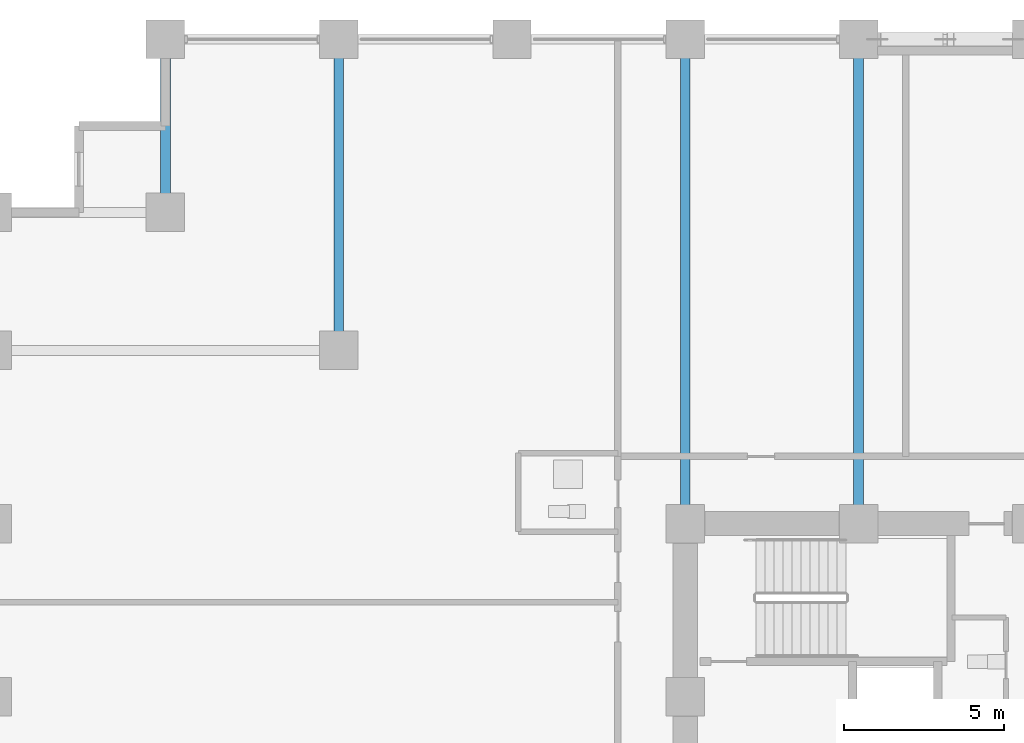
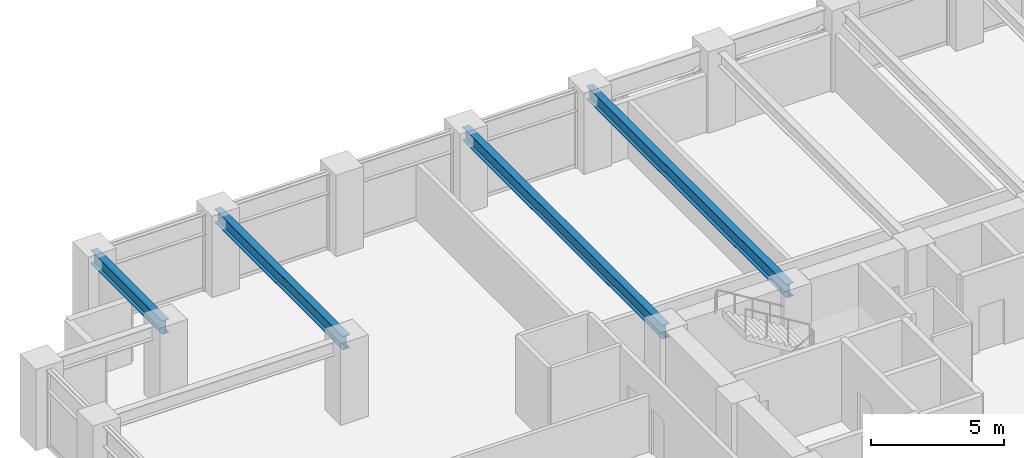
# One storey, part 11 of 26: 4 beams.
"""IFC4 building model written with IfcOpenShell, lengths in metres."""

import ifcopenshell
import ifcopenshell.guid

model = None  # the IFC model being written
_history = None  # IfcOwnerHistory: only IFC2X3 demands one
_inside = {}  # id of a spatial element -> (the spatial element, [elements in it])
_under = {}  # id of a project, library or spatial element -> (it, [spatial elements below it])
_declared = {}  # id of a project -> (the project, [libraries it declares])
_typed = {}  # id of a type object -> (the type object, [elements of that type])
_made_of = {}  # id of a material, layer set ... -> (it, [elements and type objects made of it])


def new_model(schema):
    """Start an empty IFC model of exactly this schema.

    Asked for "IFC4X3", IfcOpenShell would pick the latest addendum, in which some entities
    have other attributes; the version numbers below select the first issue.
    IFC2X3 requires an IfcOwnerHistory on every rooted entity: one is made here for all.
    """
    global model, _history
    if schema == "IFC4X3":
        model = ifcopenshell.file(schema_version=(4, 3, 0, 0))
    else:
        model = ifcopenshell.file(schema=schema)
    _inside.clear()
    _under.clear()
    _declared.clear()
    _typed.clear()
    _made_of.clear()
    _history = None
    if model.schema == "IFC2X3":
        org = make("IfcOrganization", Name="unknown")
        user = make(
            "IfcPersonAndOrganization",
            ThePerson=make("IfcPerson", FamilyName="unknown"),
            TheOrganization=org,
        )
        app = make(
            "IfcApplication",
            ApplicationDeveloper=org,
            Version="unknown",
            ApplicationFullName="unknown",
            ApplicationIdentifier="unknown",
        )
        _history = make(
            "IfcOwnerHistory",
            OwningUser=user,
            OwningApplication=app,
            ChangeAction="ADDED",
            CreationDate=0,
        )
    return model


def make(cls, **values):
    """One entity of the class cls with the attributes given. An attribute that is None is left unset."""
    return model.create_entity(
        cls, **{name: value for name, value in values.items() if value is not None}
    )


def rooted(cls, **values):
    """An entity with a GlobalId (a new one), such as an element, a storey or a relation."""
    return make(cls, GlobalId=ifcopenshell.guid.new(), OwnerHistory=_history, **values)


def si_unit(unit_type, name, prefix=None):
    """IfcSIUnit, for example si_unit("LENGTHUNIT", "METRE", prefix="MILLI")."""
    return make("IfcSIUnit", UnitType=unit_type, Prefix=prefix, Name=name)


def assignment(units):
    """IfcUnitAssignment: the units of a project."""
    return None if units is None else make("IfcUnitAssignment", Units=units)


def point(xyz):
    """IfcCartesianPoint."""
    return None if xyz is None else make("IfcCartesianPoint", Coordinates=xyz)


def direction(xyz):
    """IfcDirection."""
    return None if xyz is None else make("IfcDirection", DirectionRatios=xyz)


def frame(location, z_axis=None, x_axis=None):
    """IfcAxis2Placement3D, a coordinate frame: its origin and axes. An axis left out is left unset."""
    return make(
        "IfcAxis2Placement3D",
        Location=point(location),
        Axis=direction(z_axis),
        RefDirection=direction(x_axis),
    )


def frame_2d(location, x_axis=None):
    """IfcAxis2Placement2D, a coordinate frame in the plane: its origin and x axis."""
    return make(
        "IfcAxis2Placement2D", Location=point(location), RefDirection=direction(x_axis)
    )


def origin():
    """The frame at (0, 0, 0) with its axes left unset."""
    return frame((0.0, 0.0, 0.0))


def origin_2d():
    """The frame at (0, 0) in the plane with its x axis left unset."""
    return frame_2d((0.0, 0.0))


def place(relative_to, where):
    """IfcLocalPlacement: puts the frame where relative to a parent placement (None: the world)."""
    return make(
        "IfcLocalPlacement", PlacementRelTo=relative_to, RelativePlacement=where
    )


def context(
    kind, dimensions, precision=None, world=None, true_north=None, identifier=None
):
    """IfcGeometricRepresentationContext, for example the 3D "Model" context."""
    return make(
        "IfcGeometricRepresentationContext",
        ContextIdentifier=identifier,
        ContextType=kind,
        CoordinateSpaceDimension=dimensions,
        Precision=precision,
        WorldCoordinateSystem=world,
        TrueNorth=true_north,
    )


def subcontext(parent, identifier, kind, view, scale=None):
    """IfcGeometricRepresentationSubContext, for example "Body" below "Model"."""
    return make(
        "IfcGeometricRepresentationSubContext",
        ContextIdentifier=identifier,
        ContextType=kind,
        ParentContext=parent,
        TargetScale=scale,
        TargetView=view,
    )


def project(units=None, contexts=None):
    """IfcProject with its units and contexts."""
    return rooted(
        "IfcProject",
        Name="project",
        RepresentationContexts=contexts,
        UnitsInContext=assignment(units),
    )


def spatial(cls, under=None, at=None, **own):
    """A site, building, storey or space (cls), placed at a placement, below another one or the project."""
    s = rooted(cls, ObjectPlacement=at, **own)
    if under is not None:
        _under.setdefault(under.id(), (under, []))[1].append(s)
    return s


def profile(cls, at=None, kind="AREA", **sizes):
    """A parametric profile (cls). Its sizes go by their IFC names, for example OverallWidth=200.0."""
    return make(cls, ProfileType=kind, Position=at, **sizes)


def i_section(**sizes):
    """IfcIShapeProfileDef."""
    return profile("IfcIShapeProfileDef", **sizes)


def extrude(swept, where, along, depth):
    """IfcExtrudedAreaSolid: the profile swept, set in the frame where, extruded along a direction by depth."""
    return make(
        "IfcExtrudedAreaSolid",
        SweptArea=swept,
        Position=where,
        ExtrudedDirection=direction(along),
        Depth=depth,
    )


def shape(context_of_items, identifier, shape_type, items):
    """IfcShapeRepresentation: the items that make up one representation, for example the "Body"."""
    return make(
        "IfcShapeRepresentation",
        ContextOfItems=context_of_items,
        RepresentationIdentifier=identifier,
        RepresentationType=shape_type,
        Items=items,
    )


def material(Name=None, Category=None):
    """IfcMaterial."""
    return make("IfcMaterial", Name=Name, Category=Category)


def material_profile(
    of_material, cross_section, Name=None, Category=None, Priority=None
):
    """IfcMaterialProfile: a cross section and its material."""
    return make(
        "IfcMaterialProfile",
        Name=Name,
        Material=of_material,
        Profile=cross_section,
        Priority=Priority,
        Category=Category,
    )


def profile_set(profiles, Name=None, composite=None):
    """IfcMaterialProfileSet."""
    return make(
        "IfcMaterialProfileSet",
        Name=Name,
        MaterialProfiles=profiles,
        CompositeProfile=composite,
    )


def made_of(thing, what):
    """Note that an element or type object is made of a material, layer set ...; save() writes the relation."""
    if what is not None:
        _made_of.setdefault(what.id(), (what, []))[1].append(thing)
    return thing


def type_object(cls, material=None, **own):
    """A type object (cls), such as IfcWallType, which elements share."""
    return made_of(rooted(cls, **own), material)


def element(
    cls,
    number,
    at=None,
    inside=None,
    cuts=None,
    type_object=None,
    material=None,
    context=None,
    identifier="Body",
    shape_type=None,
    held_by="IfcProductDefinitionShape",
    body=None,
    shapes=None,
    **own,
):
    """One element of the class cls, such as IfcWall. Its Tag is "e" and its number.

    at: its placement. inside: the storey or other place that contains it. cuts: it is an
    opening in that element (IfcRelVoidsElement). A single representation is given by context,
    identifier, shape_type and body (its items); several are given by shapes. held_by: the class
    of the entity that holds the representations. save() writes the other relations.
    """
    e = rooted(cls, Tag="e%d" % number, ObjectPlacement=at, **own)
    if body is not None:
        shapes = [shape(context, identifier, shape_type, body)]
    if shapes is not None:
        e.Representation = make(held_by, Representations=shapes)
    if inside is not None:
        _inside.setdefault(inside.id(), (inside, []))[1].append(e)
    if cuts is not None:
        rooted(
            "IfcRelVoidsElement", RelatingBuildingElement=cuts, RelatedOpeningElement=e
        )
    if type_object is not None:
        _typed.setdefault(type_object.id(), (type_object, []))[1].append(e)
    return made_of(e, material)


def aggregate(whole, parts):
    """IfcRelAggregates: a whole, such as a stair, and the parts it consists of."""
    return rooted("IfcRelAggregates", RelatingObject=whole, RelatedObjects=parts)


def save(model, path):
    """Write the relations noted so far, then the file.

    IfcRelAggregates (storeys below a building ...), IfcRelContainedInSpatialStructure (elements
    in a storey), IfcRelDefinesByType, IfcRelAssociatesMaterial and IfcRelDeclares: one each for
    every whole, place, type object, material and project.
    """
    for whole, parts in _under.values():
        aggregate(whole, parts)
    for where, things in _inside.values():
        rooted(
            "IfcRelContainedInSpatialStructure",
            RelatedElements=things,
            RelatingStructure=where,
        )
    for kind, things in _typed.values():
        rooted("IfcRelDefinesByType", RelatedObjects=things, RelatingType=kind)
    for what, things in _made_of.values():
        rooted("IfcRelAssociatesMaterial", RelatedObjects=things, RelatingMaterial=what)
    for by, libraries in _declared.values():
        rooted("IfcRelDeclares", RelatingContext=by, RelatedDefinitions=libraries)
    model.write(path)


model = new_model("IFC4")

# Units and contexts
model_context = context("Model", 3, precision=1e-05, world=origin(), true_north=direction((0.0, 1.0)))
body_context = subcontext(model_context, "Body", "Model", "MODEL_VIEW")
ifc_project = project(units=[si_unit("LENGTHUNIT", "METRE"), si_unit("AREAUNIT", "SQUARE_METRE"), si_unit("VOLUMEUNIT", "CUBIC_METRE"), si_unit("PLANEANGLEUNIT", "RADIAN"), si_unit("MASSUNIT", "GRAM", prefix="KILO")], contexts=[model_context])

# Site, building, storey
site_placement = place(None, origin())
site = spatial("IfcSite", under=ifc_project, at=site_placement, CompositionType="ELEMENT")
building_placement = place(site_placement, origin())
building = spatial("IfcBuilding", under=site, at=building_placement, Name="Surkhivell Harbour Commons", CompositionType="ELEMENT")
storey_placement = place(building_placement, frame((0.0, 0.0, 60.0)))
storey = spatial("IfcBuildingStorey", under=building, at=storey_placement, Name="L15", CompositionType="ELEMENT", Elevation=60.0)

# Beams
ifc_material = material(Name="Steel S355", Category="steel")
ifc_material_profile = material_profile(ifc_material, i_section(OverallWidth=0.306884765625, OverallDepth=0.6201171875, WebThickness=0.01416015625, FlangeThickness=0.023681640625, at=origin_2d()), Name="UB610x305x179")
ifc_profile_set = profile_set([ifc_material_profile], Name="Steel S355")
beam_type = type_object("IfcBeamType", Name="BM-GRD-610A", PredefinedType="BEAM", material=ifc_profile_set)
beam_1_placement = place(storey_placement, frame((-27.0, 20.5, 3.260009765625), z_axis=(0.0, 1.0, 0.0), x_axis=(-1.0, 0.0, 0.0)))
element("IfcBeam", 1, at=beam_1_placement, inside=storey, type_object=beam_type, Name="L15 Floor Girder (-27.0,20.5)", PredefinedType="BEAM", context=body_context, shape_type="SweptSolid", body=[
    extrude(i_section(OverallWidth=0.306884765625, OverallDepth=0.6201171875, WebThickness=0.01416015625, FlangeThickness=0.023681640625, at=origin_2d()), origin(), (0.0, 0.0, 1.0), 5.39990234375),
])
beam_2_placement = place(storey_placement, frame((-21.60009765625, 16.199951171875, 3.260009765625), z_axis=(0.0, 1.0, 0.0), x_axis=(-1.0, 0.0, 0.0)))
element("IfcBeam", 2, at=beam_2_placement, inside=storey, type_object=beam_type, Name="L15 Floor Girder (-21.6,16.2)", PredefinedType="BEAM", context=body_context, shape_type="SweptSolid", body=[
    extrude(i_section(OverallWidth=0.306884765625, OverallDepth=0.6201171875, WebThickness=0.01416015625, FlangeThickness=0.023681640625, at=origin_2d()), origin(), (0.0, 0.0, 1.0), 9.699951171875),
])
for number, where, z_axis, x_axis, name in (
    (3, (-10.800048828125, 10.800048828125, 3.260009765625), (0.0, 1.0, 0.0), (-1.0, 0.0, 0.0), "L15 Floor Girder (-10.8,10.8)"),
    (4, (-5.39990234375, 10.800048828125, 3.260009765625), (0.0, 1.0, 0.0), (-1.0, 0.0, 0.0), "L15 Floor Girder (-5.4,10.8)"),
):
    element("IfcBeam", number, at=place(storey_placement, frame(where, z_axis=z_axis, x_axis=x_axis)), inside=storey, type_object=beam_type, Name=name, PredefinedType="BEAM", context=body_context, shape_type="SweptSolid", body=[
        extrude(i_section(OverallWidth=0.306884765625, OverallDepth=0.6201171875, WebThickness=0.01416015625, FlangeThickness=0.023681640625, at=origin_2d()), origin(), (0.0, 0.0, 1.0), 15.099853515625),
    ])

save(model, "model.ifc")
